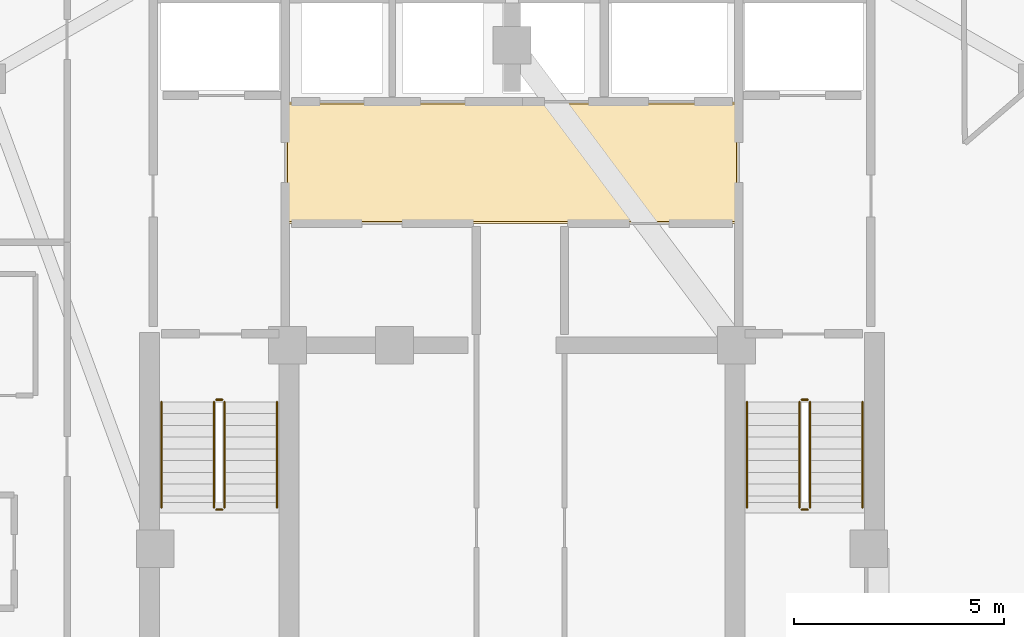
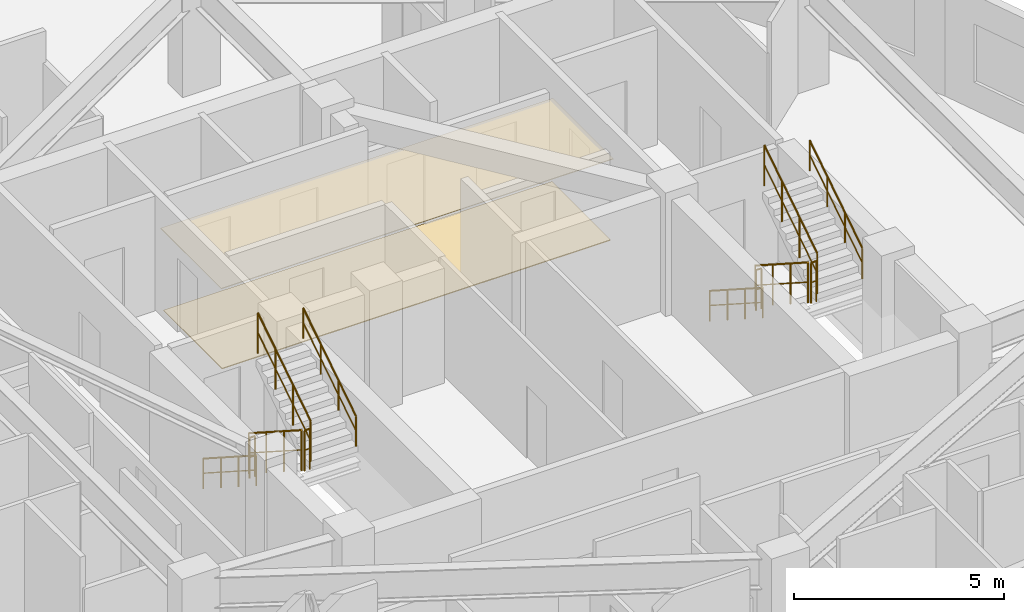
# One storey, part 13 of 13: 12 railings, 2 coverings.
"""IFC4 building model written with IfcOpenShell, lengths in metres."""

import ifcopenshell
import ifcopenshell.guid

model = None  # the IFC model being written
_history = None  # IfcOwnerHistory: only IFC2X3 demands one
_inside = {}  # id of a spatial element -> (the spatial element, [elements in it])
_under = {}  # id of a project, library or spatial element -> (it, [spatial elements below it])
_declared = {}  # id of a project -> (the project, [libraries it declares])
_typed = {}  # id of a type object -> (the type object, [elements of that type])
_made_of = {}  # id of a material, layer set ... -> (it, [elements and type objects made of it])


def new_model(schema):
    """Start an empty IFC model of exactly this schema.

    Asked for "IFC4X3", IfcOpenShell would pick the latest addendum, in which some entities
    have other attributes; the version numbers below select the first issue.
    IFC2X3 requires an IfcOwnerHistory on every rooted entity: one is made here for all.
    """
    global model, _history
    if schema == "IFC4X3":
        model = ifcopenshell.file(schema_version=(4, 3, 0, 0))
    else:
        model = ifcopenshell.file(schema=schema)
    _inside.clear()
    _under.clear()
    _declared.clear()
    _typed.clear()
    _made_of.clear()
    _history = None
    if model.schema == "IFC2X3":
        org = make("IfcOrganization", Name="unknown")
        user = make(
            "IfcPersonAndOrganization",
            ThePerson=make("IfcPerson", FamilyName="unknown"),
            TheOrganization=org,
        )
        app = make(
            "IfcApplication",
            ApplicationDeveloper=org,
            Version="unknown",
            ApplicationFullName="unknown",
            ApplicationIdentifier="unknown",
        )
        _history = make(
            "IfcOwnerHistory",
            OwningUser=user,
            OwningApplication=app,
            ChangeAction="ADDED",
            CreationDate=0,
        )
    return model


def make(cls, **values):
    """One entity of the class cls with the attributes given. An attribute that is None is left unset."""
    return model.create_entity(
        cls, **{name: value for name, value in values.items() if value is not None}
    )


def rooted(cls, **values):
    """An entity with a GlobalId (a new one), such as an element, a storey or a relation."""
    return make(cls, GlobalId=ifcopenshell.guid.new(), OwnerHistory=_history, **values)


def si_unit(unit_type, name, prefix=None):
    """IfcSIUnit, for example si_unit("LENGTHUNIT", "METRE", prefix="MILLI")."""
    return make("IfcSIUnit", UnitType=unit_type, Prefix=prefix, Name=name)


def assignment(units):
    """IfcUnitAssignment: the units of a project."""
    return None if units is None else make("IfcUnitAssignment", Units=units)


def point(xyz):
    """IfcCartesianPoint."""
    return None if xyz is None else make("IfcCartesianPoint", Coordinates=xyz)


def direction(xyz):
    """IfcDirection."""
    return None if xyz is None else make("IfcDirection", DirectionRatios=xyz)


def frame(location, z_axis=None, x_axis=None):
    """IfcAxis2Placement3D, a coordinate frame: its origin and axes. An axis left out is left unset."""
    return make(
        "IfcAxis2Placement3D",
        Location=point(location),
        Axis=direction(z_axis),
        RefDirection=direction(x_axis),
    )


def frame_2d(location, x_axis=None):
    """IfcAxis2Placement2D, a coordinate frame in the plane: its origin and x axis."""
    return make(
        "IfcAxis2Placement2D", Location=point(location), RefDirection=direction(x_axis)
    )


def origin():
    """The frame at (0, 0, 0) with its axes left unset."""
    return frame((0.0, 0.0, 0.0))


def origin_2d():
    """The frame at (0, 0) in the plane with its x axis left unset."""
    return frame_2d((0.0, 0.0))


def place(relative_to, where):
    """IfcLocalPlacement: puts the frame where relative to a parent placement (None: the world)."""
    return make(
        "IfcLocalPlacement", PlacementRelTo=relative_to, RelativePlacement=where
    )


def context(
    kind, dimensions, precision=None, world=None, true_north=None, identifier=None
):
    """IfcGeometricRepresentationContext, for example the 3D "Model" context."""
    return make(
        "IfcGeometricRepresentationContext",
        ContextIdentifier=identifier,
        ContextType=kind,
        CoordinateSpaceDimension=dimensions,
        Precision=precision,
        WorldCoordinateSystem=world,
        TrueNorth=true_north,
    )


def subcontext(parent, identifier, kind, view, scale=None):
    """IfcGeometricRepresentationSubContext, for example "Body" below "Model"."""
    return make(
        "IfcGeometricRepresentationSubContext",
        ContextIdentifier=identifier,
        ContextType=kind,
        ParentContext=parent,
        TargetScale=scale,
        TargetView=view,
    )


def project(units=None, contexts=None):
    """IfcProject with its units and contexts."""
    return rooted(
        "IfcProject",
        Name="project",
        RepresentationContexts=contexts,
        UnitsInContext=assignment(units),
    )


def spatial(cls, under=None, at=None, **own):
    """A site, building, storey or space (cls), placed at a placement, below another one or the project."""
    s = rooted(cls, ObjectPlacement=at, **own)
    if under is not None:
        _under.setdefault(under.id(), (under, []))[1].append(s)
    return s


def polyline(points):
    """IfcPolyline through the points."""
    return make("IfcPolyline", Points=[point(p) for p in points])


def profile(cls, at=None, kind="AREA", **sizes):
    """A parametric profile (cls). Its sizes go by their IFC names, for example OverallWidth=200.0."""
    return make(cls, ProfileType=kind, Position=at, **sizes)


def circle(**sizes):
    """IfcCircleProfileDef."""
    return profile("IfcCircleProfileDef", **sizes)


def outline(outer, holes=None, kind="AREA"):
    """IfcArbitraryClosedProfileDef: a profile drawn as a closed curve; with holes, ...WithVoids."""
    if holes is None:
        return make("IfcArbitraryClosedProfileDef", ProfileType=kind, OuterCurve=outer)
    return make(
        "IfcArbitraryProfileDefWithVoids",
        ProfileType=kind,
        OuterCurve=outer,
        InnerCurves=holes,
    )


def extrude(swept, where, along, depth):
    """IfcExtrudedAreaSolid: the profile swept, set in the frame where, extruded along a direction by depth."""
    return make(
        "IfcExtrudedAreaSolid",
        SweptArea=swept,
        Position=where,
        ExtrudedDirection=direction(along),
        Depth=depth,
    )


def shape(context_of_items, identifier, shape_type, items):
    """IfcShapeRepresentation: the items that make up one representation, for example the "Body"."""
    return make(
        "IfcShapeRepresentation",
        ContextOfItems=context_of_items,
        RepresentationIdentifier=identifier,
        RepresentationType=shape_type,
        Items=items,
    )


def material(Name=None, Category=None):
    """IfcMaterial."""
    return make("IfcMaterial", Name=Name, Category=Category)


def layer(
    of_material, thickness, ventilated=None, Name=None, Category=None, Priority=None
):
    """IfcMaterialLayer: one layer of a wall or slab, of a material (None: an air gap)."""
    return make(
        "IfcMaterialLayer",
        Material=of_material,
        LayerThickness=thickness,
        IsVentilated=ventilated,
        Name=Name,
        Category=Category,
        Priority=Priority,
    )


def layer_set(layers, Name=None):
    """IfcMaterialLayerSet."""
    return make("IfcMaterialLayerSet", MaterialLayers=layers, LayerSetName=Name)


def made_of(thing, what):
    """Note that an element or type object is made of a material, layer set ...; save() writes the relation."""
    if what is not None:
        _made_of.setdefault(what.id(), (what, []))[1].append(thing)
    return thing


def type_object(cls, material=None, **own):
    """A type object (cls), such as IfcWallType, which elements share."""
    return made_of(rooted(cls, **own), material)


def element(
    cls,
    number,
    at=None,
    inside=None,
    cuts=None,
    type_object=None,
    material=None,
    context=None,
    identifier="Body",
    shape_type=None,
    held_by="IfcProductDefinitionShape",
    body=None,
    shapes=None,
    **own,
):
    """One element of the class cls, such as IfcWall. Its Tag is "e" and its number.

    at: its placement. inside: the storey or other place that contains it. cuts: it is an
    opening in that element (IfcRelVoidsElement). A single representation is given by context,
    identifier, shape_type and body (its items); several are given by shapes. held_by: the class
    of the entity that holds the representations. save() writes the other relations.
    """
    e = rooted(cls, Tag="e%d" % number, ObjectPlacement=at, **own)
    if body is not None:
        shapes = [shape(context, identifier, shape_type, body)]
    if shapes is not None:
        e.Representation = make(held_by, Representations=shapes)
    if inside is not None:
        _inside.setdefault(inside.id(), (inside, []))[1].append(e)
    if cuts is not None:
        rooted(
            "IfcRelVoidsElement", RelatingBuildingElement=cuts, RelatedOpeningElement=e
        )
    if type_object is not None:
        _typed.setdefault(type_object.id(), (type_object, []))[1].append(e)
    return made_of(e, material)


def aggregate(whole, parts):
    """IfcRelAggregates: a whole, such as a stair, and the parts it consists of."""
    return rooted("IfcRelAggregates", RelatingObject=whole, RelatedObjects=parts)


def save(model, path):
    """Write the relations noted so far, then the file.

    IfcRelAggregates (storeys below a building ...), IfcRelContainedInSpatialStructure (elements
    in a storey), IfcRelDefinesByType, IfcRelAssociatesMaterial and IfcRelDeclares: one each for
    every whole, place, type object, material and project.
    """
    for whole, parts in _under.values():
        aggregate(whole, parts)
    for where, things in _inside.values():
        rooted(
            "IfcRelContainedInSpatialStructure",
            RelatedElements=things,
            RelatingStructure=where,
        )
    for kind, things in _typed.values():
        rooted("IfcRelDefinesByType", RelatedObjects=things, RelatingType=kind)
    for what, things in _made_of.values():
        rooted("IfcRelAssociatesMaterial", RelatedObjects=things, RelatingMaterial=what)
    for by, libraries in _declared.values():
        rooted("IfcRelDeclares", RelatingContext=by, RelatedDefinitions=libraries)
    model.write(path)


model = new_model("IFC4")

# Units and contexts
model_context = context("Model", 3, precision=1e-05, world=origin(), true_north=direction((0.0, 1.0)))
body_context = subcontext(model_context, "Body", "Model", "MODEL_VIEW")
ifc_project = project(units=[si_unit("LENGTHUNIT", "METRE"), si_unit("AREAUNIT", "SQUARE_METRE"), si_unit("VOLUMEUNIT", "CUBIC_METRE"), si_unit("PLANEANGLEUNIT", "RADIAN"), si_unit("MASSUNIT", "GRAM", prefix="KILO")], contexts=[model_context])

# Site, building, storey
site_placement = place(None, origin())
site = spatial("IfcSite", under=ifc_project, at=site_placement, CompositionType="ELEMENT")
building_placement = place(site_placement, origin())
building = spatial("IfcBuilding", under=site, at=building_placement, Name="Miruveldt Soraemaru", CompositionType="ELEMENT")
storey_placement = place(building_placement, frame((0.0, 0.0, 198.0)))
storey = spatial("IfcBuildingStorey", under=building, at=storey_placement, Name="L54", CompositionType="ELEMENT", Elevation=198.0)

# Coverings
ifc_material_1 = material(Name="Gypsum plasterboard lining", Category="gypsum")
ifc_layer_1 = layer(ifc_material_1, 0.02001953125, Name="Gypsum plasterboard lining", Category="gypsum")
ifc_layer_set_1 = layer_set([ifc_layer_1], Name="Gypsum plasterboard lining")
covering_type_1 = type_object("IfcCoveringType", Name="COV-CEIL-AC", PredefinedType="CEILING", material=ifc_layer_set_1)
covering_1_placement = place(storey_placement, frame((0.0, 0.0, 2.3798828125)))
element("IfcCovering", 1, at=covering_1_placement, inside=storey, type_object=covering_type_1, Name="L54 Lift Lobby Acoustic Ceiling", PredefinedType="CEILING", context=body_context, shape_type="SweptSolid", body=[
    extrude(outline(polyline([(38.60009765625, 46.949951171875), (49.39990234375, 46.949951171875), (49.39990234375, 49.85009765625), (38.60009765625, 49.85009765625), (38.60009765625, 46.949951171875)])), origin(), (0.0, 0.0, 1.0), 0.02001953125),
])
ifc_material_2 = material(Name="Precast concrete C45/55 (45 MPa)", Category="concrete")
ifc_layer_2 = layer(ifc_material_2, 0.02490234375, Name="Precast concrete C45/55 (45 MPa)", Category="concrete")
ifc_layer_set_2 = layer_set([ifc_layer_2], Name="Precast concrete C45/55 (45 MPa)")
covering_type_2 = type_object("IfcCoveringType", Name="COV-FLOR-ST", PredefinedType="FLOORING", material=ifc_layer_set_2)
covering_2_placement = place(storey_placement, origin())
element("IfcCovering", 2, at=covering_2_placement, inside=storey, type_object=covering_type_2, Name="L54 Lift Lobby Stone Flooring", PredefinedType="FLOORING", context=body_context, shape_type="SweptSolid", body=[
    extrude(outline(polyline([(38.64990234375, 47.0), (49.35009765625, 47.0), (49.35009765625, 49.800048828125), (38.64990234375, 49.800048828125), (38.64990234375, 47.0)])), origin(), (0.0, 0.0, 1.0), 0.02490234375),
])

# Railings
ifc_material_3 = material(Name="Steel S355 (355 MPa)", Category="steel")
railing_type_1 = type_object("IfcRailingType", Name="RAIL-HR-900", PredefinedType="HANDRAIL", material=ifc_material_3)
railing_1_placement = place(storey_placement, frame((35.64990234375, 42.699951171875, 0.179931640625)))
element("IfcRailing", 3, at=railing_1_placement, inside=storey, type_object=railing_type_1, Name="L54 ST-1 stair handrail 1", PredefinedType="HANDRAIL", context=body_context, shape_type="SweptSolid", body=[
    extrude(circle(Radius=0.02392578125, at=origin_2d()), frame((0.0, 0.0, 0.8759765625), z_axis=(0.0, -0.841162588446, 0.540782303519), x_axis=(1.0, 0.0, 0.0)), (0.0, 0.0, 1.0), 2.995849609375),
    extrude(circle(Radius=0.01611328125, at=origin_2d()), frame((0.0, 0.0, 0.449951171875), z_axis=(0.0, -0.841162588446, 0.540782303519), x_axis=(1.0, 0.0, 0.0)), (0.0, 0.0, 1.0), 2.995849609375),
    extrude(circle(Radius=0.02099609375, at=origin_2d()), origin(), (0.0, 0.0, 1.0), 0.851806640625),
    extrude(circle(Radius=0.02099609375, at=origin_2d()), frame((0.0, -0.840087890625, 0.5400390625)), (0.0, 0.0, 1.0), 0.851806640625),
    extrude(circle(Radius=0.02099609375, at=origin_2d()), frame((0.0, -1.679931640625, 1.080078125)), (0.0, 0.0, 1.0), 0.851806640625),
    extrude(circle(Radius=0.02099609375, at=origin_2d()), frame((0.0, -2.52001953125, 1.6201171875)), (0.0, 0.0, 1.0), 0.851806640625),
])
railing_2_placement = place(storey_placement, frame((38.39990234375, 40.179931640625, 1.97998046875)))
element("IfcRailing", 4, at=railing_2_placement, inside=storey, type_object=railing_type_1, Name="L54 ST-1 stair handrail 2", PredefinedType="HANDRAIL", context=body_context, shape_type="SweptSolid", body=[
    extrude(circle(Radius=0.02392578125, at=origin_2d()), frame((0.0, 0.0, 0.8759765625), z_axis=(0.0, 0.841162588446, 0.540782303519), x_axis=(-1.0, 0.0, 0.0)), (0.0, 0.0, 1.0), 2.995849609375),
    extrude(circle(Radius=0.01611328125, at=origin_2d()), frame((0.0, 0.0, 0.449951171875), z_axis=(0.0, 0.841162588446, 0.540782303519), x_axis=(-1.0, 0.0, 0.0)), (0.0, 0.0, 1.0), 2.995849609375),
    extrude(circle(Radius=0.02099609375, at=origin_2d()), origin(), (0.0, 0.0, 1.0), 0.851806640625),
    extrude(circle(Radius=0.02099609375, at=origin_2d()), frame((0.0, 0.840087890625, 0.5400390625)), (0.0, 0.0, 1.0), 0.851806640625),
    extrude(circle(Radius=0.02099609375, at=origin_2d()), frame((0.0, 1.679931640625, 1.080078125)), (0.0, 0.0, 1.0), 0.851806640625),
    extrude(circle(Radius=0.02099609375, at=origin_2d()), frame((0.0, 2.52001953125, 1.6201171875)), (0.0, 0.0, 1.0), 0.851806640625),
])
railing_3_placement = place(storey_placement, frame((49.60009765625, 42.699951171875, 0.179931640625)))
element("IfcRailing", 5, at=railing_3_placement, inside=storey, type_object=railing_type_1, Name="L54 ST-2 stair handrail 1", PredefinedType="HANDRAIL", context=body_context, shape_type="SweptSolid", body=[
    extrude(circle(Radius=0.02392578125, at=origin_2d()), frame((0.0, 0.0, 0.8759765625), z_axis=(0.0, -0.841162588446, 0.540782303519), x_axis=(1.0, 0.0, 0.0)), (0.0, 0.0, 1.0), 2.995849609375),
    extrude(circle(Radius=0.01611328125, at=origin_2d()), frame((0.0, 0.0, 0.449951171875), z_axis=(0.0, -0.841162588446, 0.540782303519), x_axis=(1.0, 0.0, 0.0)), (0.0, 0.0, 1.0), 2.995849609375),
    extrude(circle(Radius=0.02099609375, at=origin_2d()), origin(), (0.0, 0.0, 1.0), 0.851806640625),
    extrude(circle(Radius=0.02099609375, at=origin_2d()), frame((0.0, -0.840087890625, 0.5400390625)), (0.0, 0.0, 1.0), 0.851806640625),
    extrude(circle(Radius=0.02099609375, at=origin_2d()), frame((0.0, -1.679931640625, 1.080078125)), (0.0, 0.0, 1.0), 0.851806640625),
    extrude(circle(Radius=0.02099609375, at=origin_2d()), frame((0.0, -2.52001953125, 1.6201171875)), (0.0, 0.0, 1.0), 0.851806640625),
])
railing_4_placement = place(storey_placement, frame((52.35009765625, 40.179931640625, 1.97998046875)))
element("IfcRailing", 6, at=railing_4_placement, inside=storey, type_object=railing_type_1, Name="L54 ST-2 stair handrail 2", PredefinedType="HANDRAIL", context=body_context, shape_type="SweptSolid", body=[
    extrude(circle(Radius=0.02392578125, at=origin_2d()), frame((0.0, 0.0, 0.8759765625), z_axis=(0.0, 0.841162588446, 0.540782303519), x_axis=(-1.0, 0.0, 0.0)), (0.0, 0.0, 1.0), 2.995849609375),
    extrude(circle(Radius=0.01611328125, at=origin_2d()), frame((0.0, 0.0, 0.449951171875), z_axis=(0.0, 0.841162588446, 0.540782303519), x_axis=(-1.0, 0.0, 0.0)), (0.0, 0.0, 1.0), 2.995849609375),
    extrude(circle(Radius=0.02099609375, at=origin_2d()), origin(), (0.0, 0.0, 1.0), 0.851806640625),
    extrude(circle(Radius=0.02099609375, at=origin_2d()), frame((0.0, 0.840087890625, 0.5400390625)), (0.0, 0.0, 1.0), 0.851806640625),
    extrude(circle(Radius=0.02099609375, at=origin_2d()), frame((0.0, 1.679931640625, 1.080078125)), (0.0, 0.0, 1.0), 0.851806640625),
    extrude(circle(Radius=0.02099609375, at=origin_2d()), frame((0.0, 2.52001953125, 1.6201171875)), (0.0, 0.0, 1.0), 0.851806640625),
])
railing_type_2 = type_object("IfcRailingType", Name="RAIL-STGUARD-1200", PredefinedType="GUARDRAIL", material=ifc_material_3)
railing_5_placement = place(storey_placement, frame((36.89990234375, 42.699951171875, 0.179931640625)))
element("IfcRailing", 7, at=railing_5_placement, inside=storey, type_object=railing_type_2, Name="L54 ST-1 stair guard 1", PredefinedType="GUARDRAIL", context=body_context, shape_type="SweptSolid", body=[
    extrude(circle(Radius=0.02392578125, at=origin_2d()), frame((0.0, 0.0, 1.17578125), z_axis=(0.0, -0.841162588446, 0.540782303519), x_axis=(1.0, 0.0, 0.0)), (0.0, 0.0, 1.0), 2.995849609375),
    extrude(circle(Radius=0.01611328125, at=origin_2d()), frame((0.0, 0.0, 0.60009765625), z_axis=(0.0, -0.841162588446, 0.540782303519), x_axis=(1.0, 0.0, 0.0)), (0.0, 0.0, 1.0), 2.995849609375),
    extrude(circle(Radius=0.02099609375, at=origin_2d()), origin(), (0.0, 0.0, 1.0), 1.15185546875),
    extrude(circle(Radius=0.02099609375, at=origin_2d()), frame((0.0, -0.840087890625, 0.5400390625)), (0.0, 0.0, 1.0), 1.15185546875),
    extrude(circle(Radius=0.02099609375, at=origin_2d()), frame((0.0, -1.679931640625, 1.080078125)), (0.0, 0.0, 1.0), 1.15185546875),
    extrude(circle(Radius=0.02099609375, at=origin_2d()), frame((0.0, -2.52001953125, 1.6201171875)), (0.0, 0.0, 1.0), 1.15185546875),
])
railing_6_placement = place(storey_placement, frame((36.949951171875, 40.1298828125, 1.800048828125)))
element("IfcRailing", 8, at=railing_6_placement, inside=storey, type_object=railing_type_2, Name="L54 ST-1 stair guard 2", PredefinedType="GUARDRAIL", context=body_context, shape_type="SweptSolid", body=[
    extrude(circle(Radius=0.02392578125, at=origin_2d()), frame((0.0, 0.0, 1.17578125), z_axis=(1.0, 0.0, 0.0), x_axis=(0.0, 1.0, 0.0)), (0.0, 0.0, 1.0), 0.150146484375),
    extrude(circle(Radius=0.01611328125, at=origin_2d()), frame((0.0, 0.0, 0.60009765625), z_axis=(1.0, 0.0, 0.0), x_axis=(0.0, 1.0, 0.0)), (0.0, 0.0, 1.0), 0.150146484375),
    extrude(circle(Radius=0.02099609375, at=origin_2d()), origin(), (0.0, 0.0, 1.0), 1.15185546875),
    extrude(circle(Radius=0.02099609375, at=origin_2d()), frame((0.150146484375, 0.0, 0.0)), (0.0, 0.0, 1.0), 1.15185546875),
])
railing_7_placement = place(storey_placement, frame((37.14990234375, 40.179931640625, 1.97998046875)))
element("IfcRailing", 9, at=railing_7_placement, inside=storey, type_object=railing_type_2, Name="L54 ST-1 stair guard 3", PredefinedType="GUARDRAIL", context=body_context, shape_type="SweptSolid", body=[
    extrude(circle(Radius=0.02392578125, at=origin_2d()), frame((0.0, 0.0, 1.17578125), z_axis=(0.0, 0.841162588446, 0.540782303519), x_axis=(-1.0, 0.0, 0.0)), (0.0, 0.0, 1.0), 2.995849609375),
    extrude(circle(Radius=0.01611328125, at=origin_2d()), frame((0.0, 0.0, 0.60009765625), z_axis=(0.0, 0.841162588446, 0.540782303519), x_axis=(-1.0, 0.0, 0.0)), (0.0, 0.0, 1.0), 2.995849609375),
    extrude(circle(Radius=0.02099609375, at=origin_2d()), origin(), (0.0, 0.0, 1.0), 1.15185546875),
    extrude(circle(Radius=0.02099609375, at=origin_2d()), frame((0.0, 0.840087890625, 0.5400390625)), (0.0, 0.0, 1.0), 1.15185546875),
    extrude(circle(Radius=0.02099609375, at=origin_2d()), frame((0.0, 1.679931640625, 1.080078125)), (0.0, 0.0, 1.0), 1.15185546875),
    extrude(circle(Radius=0.02099609375, at=origin_2d()), frame((0.0, 2.52001953125, 1.6201171875)), (0.0, 0.0, 1.0), 1.15185546875),
])
railing_8_placement = place(storey_placement, frame((36.949951171875, 42.75, 0.0)))
element("IfcRailing", 10, at=railing_8_placement, inside=storey, type_object=railing_type_2, Name="L54 ST-1 stair guard 4", PredefinedType="GUARDRAIL", context=body_context, shape_type="SweptSolid", body=[
    extrude(circle(Radius=0.02392578125, at=origin_2d()), frame((0.0, 0.0, 1.17578125), z_axis=(1.0, 0.0, 0.0), x_axis=(0.0, 1.0, 0.0)), (0.0, 0.0, 1.0), 0.150146484375),
    extrude(circle(Radius=0.01611328125, at=origin_2d()), frame((0.0, 0.0, 0.60009765625), z_axis=(1.0, 0.0, 0.0), x_axis=(0.0, 1.0, 0.0)), (0.0, 0.0, 1.0), 0.150146484375),
    extrude(circle(Radius=0.02099609375, at=origin_2d()), origin(), (0.0, 0.0, 1.0), 1.15185546875),
    extrude(circle(Radius=0.02099609375, at=origin_2d()), frame((0.150146484375, 0.0, 0.0)), (0.0, 0.0, 1.0), 1.15185546875),
])
railing_9_placement = place(storey_placement, frame((50.85009765625, 42.699951171875, 0.179931640625)))
element("IfcRailing", 11, at=railing_9_placement, inside=storey, type_object=railing_type_2, Name="L54 ST-2 stair guard 1", PredefinedType="GUARDRAIL", context=body_context, shape_type="SweptSolid", body=[
    extrude(circle(Radius=0.02392578125, at=origin_2d()), frame((0.0, 0.0, 1.17578125), z_axis=(0.0, -0.841162588446, 0.540782303519), x_axis=(1.0, 0.0, 0.0)), (0.0, 0.0, 1.0), 2.995849609375),
    extrude(circle(Radius=0.01611328125, at=origin_2d()), frame((0.0, 0.0, 0.60009765625), z_axis=(0.0, -0.841162588446, 0.540782303519), x_axis=(1.0, 0.0, 0.0)), (0.0, 0.0, 1.0), 2.995849609375),
    extrude(circle(Radius=0.02099609375, at=origin_2d()), origin(), (0.0, 0.0, 1.0), 1.15185546875),
    extrude(circle(Radius=0.02099609375, at=origin_2d()), frame((0.0, -0.840087890625, 0.5400390625)), (0.0, 0.0, 1.0), 1.15185546875),
    extrude(circle(Radius=0.02099609375, at=origin_2d()), frame((0.0, -1.679931640625, 1.080078125)), (0.0, 0.0, 1.0), 1.15185546875),
    extrude(circle(Radius=0.02099609375, at=origin_2d()), frame((0.0, -2.52001953125, 1.6201171875)), (0.0, 0.0, 1.0), 1.15185546875),
])
railing_10_placement = place(storey_placement, frame((50.89990234375, 40.1298828125, 1.800048828125)))
element("IfcRailing", 12, at=railing_10_placement, inside=storey, type_object=railing_type_2, Name="L54 ST-2 stair guard 2", PredefinedType="GUARDRAIL", context=body_context, shape_type="SweptSolid", body=[
    extrude(circle(Radius=0.02392578125, at=origin_2d()), frame((0.0, 0.0, 1.17578125), z_axis=(1.0, 0.0, 0.0), x_axis=(0.0, 1.0, 0.0)), (0.0, 0.0, 1.0), 0.150146484375),
    extrude(circle(Radius=0.01611328125, at=origin_2d()), frame((0.0, 0.0, 0.60009765625), z_axis=(1.0, 0.0, 0.0), x_axis=(0.0, 1.0, 0.0)), (0.0, 0.0, 1.0), 0.150146484375),
    extrude(circle(Radius=0.02099609375, at=origin_2d()), origin(), (0.0, 0.0, 1.0), 1.15185546875),
    extrude(circle(Radius=0.02099609375, at=origin_2d()), frame((0.150146484375, 0.0, 0.0)), (0.0, 0.0, 1.0), 1.15185546875),
])
railing_11_placement = place(storey_placement, frame((51.10009765625, 40.179931640625, 1.97998046875)))
element("IfcRailing", 13, at=railing_11_placement, inside=storey, type_object=railing_type_2, Name="L54 ST-2 stair guard 3", PredefinedType="GUARDRAIL", context=body_context, shape_type="SweptSolid", body=[
    extrude(circle(Radius=0.02392578125, at=origin_2d()), frame((0.0, 0.0, 1.17578125), z_axis=(0.0, 0.841162588446, 0.540782303519), x_axis=(-1.0, 0.0, 0.0)), (0.0, 0.0, 1.0), 2.995849609375),
    extrude(circle(Radius=0.01611328125, at=origin_2d()), frame((0.0, 0.0, 0.60009765625), z_axis=(0.0, 0.841162588446, 0.540782303519), x_axis=(-1.0, 0.0, 0.0)), (0.0, 0.0, 1.0), 2.995849609375),
    extrude(circle(Radius=0.02099609375, at=origin_2d()), origin(), (0.0, 0.0, 1.0), 1.15185546875),
    extrude(circle(Radius=0.02099609375, at=origin_2d()), frame((0.0, 0.840087890625, 0.5400390625)), (0.0, 0.0, 1.0), 1.15185546875),
    extrude(circle(Radius=0.02099609375, at=origin_2d()), frame((0.0, 1.679931640625, 1.080078125)), (0.0, 0.0, 1.0), 1.15185546875),
    extrude(circle(Radius=0.02099609375, at=origin_2d()), frame((0.0, 2.52001953125, 1.6201171875)), (0.0, 0.0, 1.0), 1.15185546875),
])
railing_12_placement = place(storey_placement, frame((50.89990234375, 42.75, 0.0)))
element("IfcRailing", 14, at=railing_12_placement, inside=storey, type_object=railing_type_2, Name="L54 ST-2 stair guard 4", PredefinedType="GUARDRAIL", context=body_context, shape_type="SweptSolid", body=[
    extrude(circle(Radius=0.02392578125, at=origin_2d()), frame((0.0, 0.0, 1.17578125), z_axis=(1.0, 0.0, 0.0), x_axis=(0.0, 1.0, 0.0)), (0.0, 0.0, 1.0), 0.150146484375),
    extrude(circle(Radius=0.01611328125, at=origin_2d()), frame((0.0, 0.0, 0.60009765625), z_axis=(1.0, 0.0, 0.0), x_axis=(0.0, 1.0, 0.0)), (0.0, 0.0, 1.0), 0.150146484375),
    extrude(circle(Radius=0.02099609375, at=origin_2d()), origin(), (0.0, 0.0, 1.0), 1.15185546875),
    extrude(circle(Radius=0.02099609375, at=origin_2d()), frame((0.150146484375, 0.0, 0.0)), (0.0, 0.0, 1.0), 1.15185546875),
])

save(model, "model.ifc")
